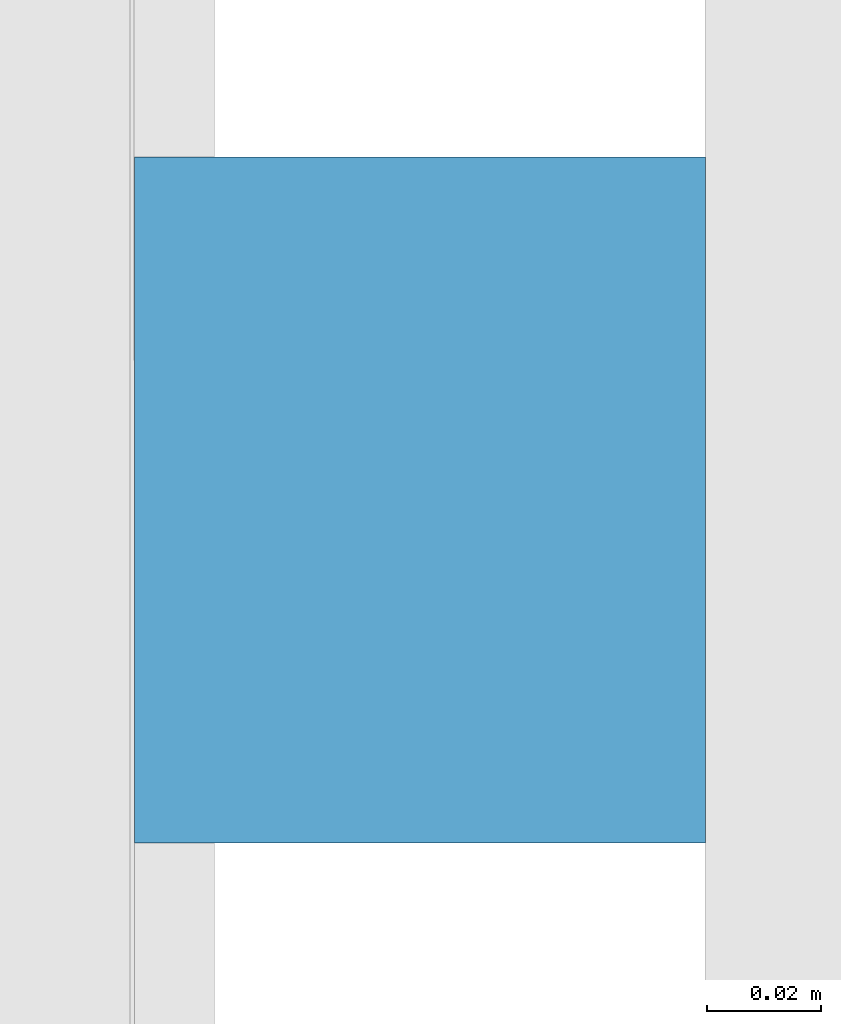
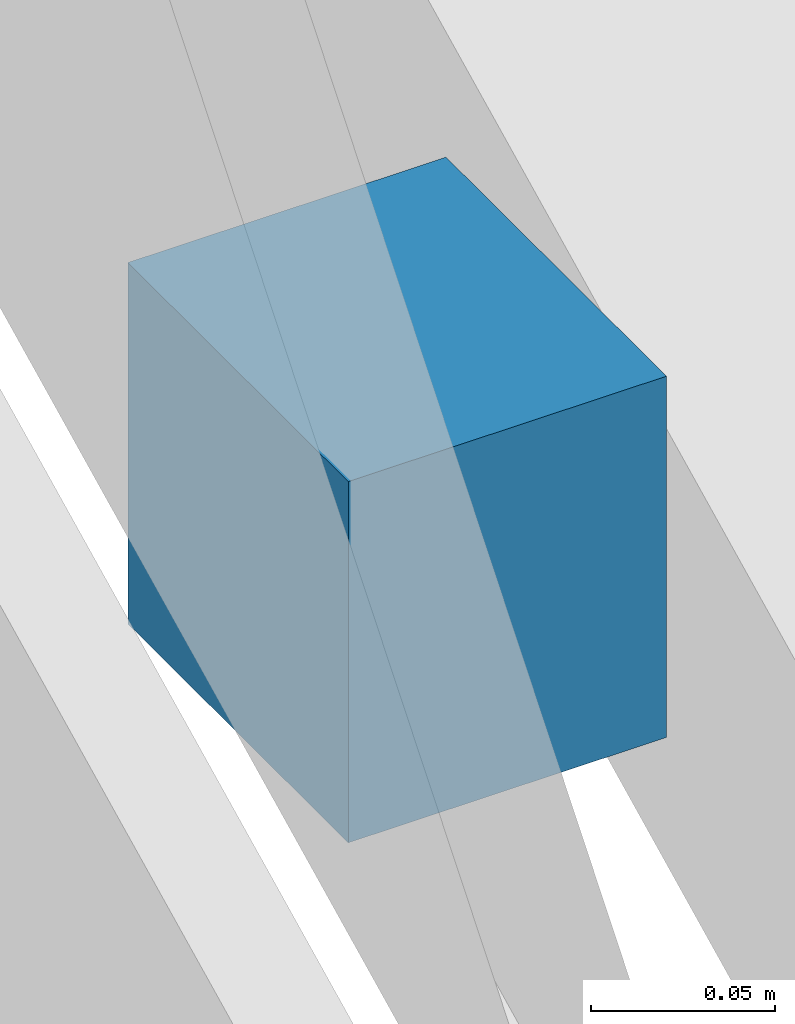
# One storey, part 21 of 22: 1 discrete accessory.
"""IFC4 building model written with IfcOpenShell, lengths in metres."""

from ifc_helpers import new_model, si_unit, direction, frame, origin, origin_2d, place, context, subcontext, project, spatial, rectangle, extrude, material, type_object, element, save


model = new_model("IFC4")

# Units and contexts
model_context = context("Model", 3, precision=1e-05, world=origin(), true_north=direction((0.0, 1.0)))
body_context = subcontext(model_context, "Body", "Model", "MODEL_VIEW")
ifc_project = project(units=[si_unit("LENGTHUNIT", "METRE"), si_unit("AREAUNIT", "SQUARE_METRE"), si_unit("VOLUMEUNIT", "CUBIC_METRE"), si_unit("PLANEANGLEUNIT", "RADIAN"), si_unit("MASSUNIT", "GRAM", prefix="KILO")], contexts=[model_context])

# Site, building, storey
site_placement = place(None, origin())
site = spatial("IfcSite", under=ifc_project, at=site_placement, CompositionType="ELEMENT")
building_placement = place(site_placement, origin())
building = spatial("IfcBuilding", under=site, at=building_placement, Name="Crosswind Convention Tower", CompositionType="ELEMENT")
storey_placement = place(building_placement, frame((0.0, 0.0, 125.300048828125)))
storey = spatial("IfcBuildingStorey", under=building, at=storey_placement, Name="L25", CompositionType="ELEMENT", Elevation=125.300048828125)

# Discrete accessory
ifc_material = material(Name="Stainless steel", Category="steel")
discrete_accessory_type = type_object("IfcDiscreteAccessoryType", Name="BAGUETTE BRACKET BK3", PredefinedType="BRACKET", material=ifc_material)
discrete_accessory_placement = place(storey_placement, frame((161.72607421875, 91.767578125, 1.704833984375), z_axis=(0.0, 0.0, 1.0), x_axis=(0.0, 1.0, 0.0)))
element("IfcDiscreteAccessory", 1, at=discrete_accessory_placement, inside=storey, type_object=discrete_accessory_type, Name="BK3 baguette bracket", PredefinedType="BRACKET", context=body_context, shape_type="SweptSolid", body=[
    extrude(rectangle(XDim=0.1201171875, YDim=0.10009765625, at=origin_2d()), origin(), (0.0, 0.0, 1.0), 0.1201171875),
])

save(model, "model.ifc")
